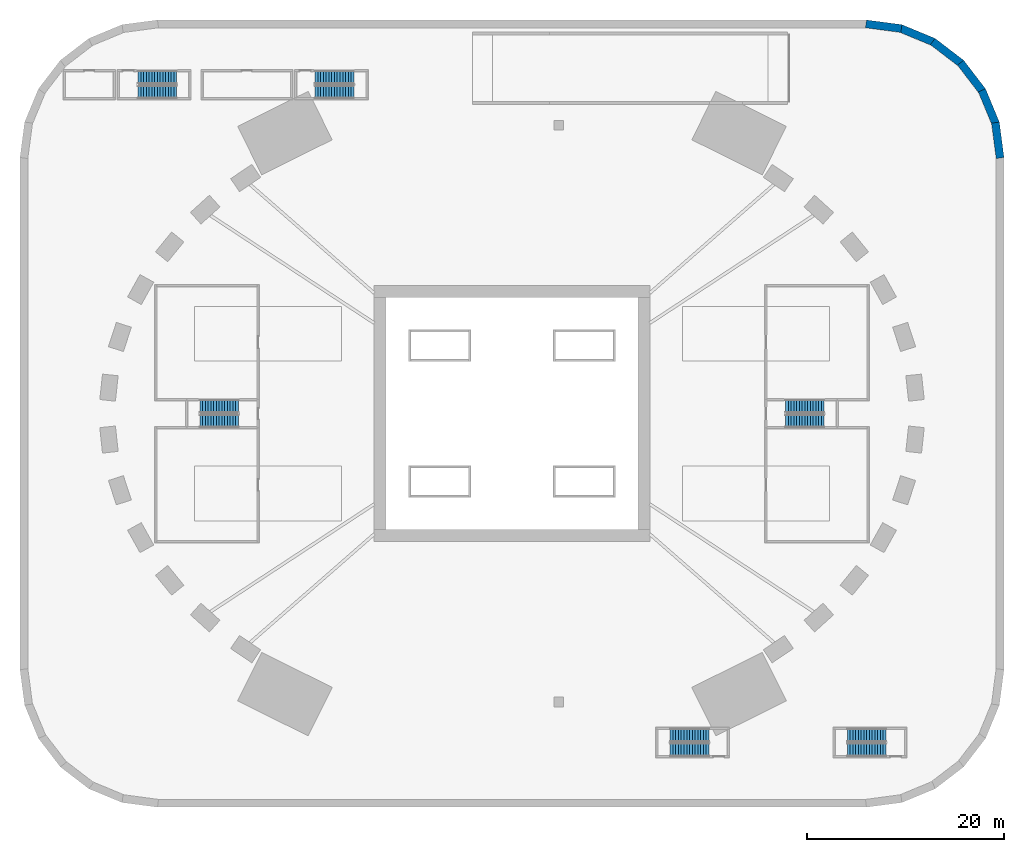
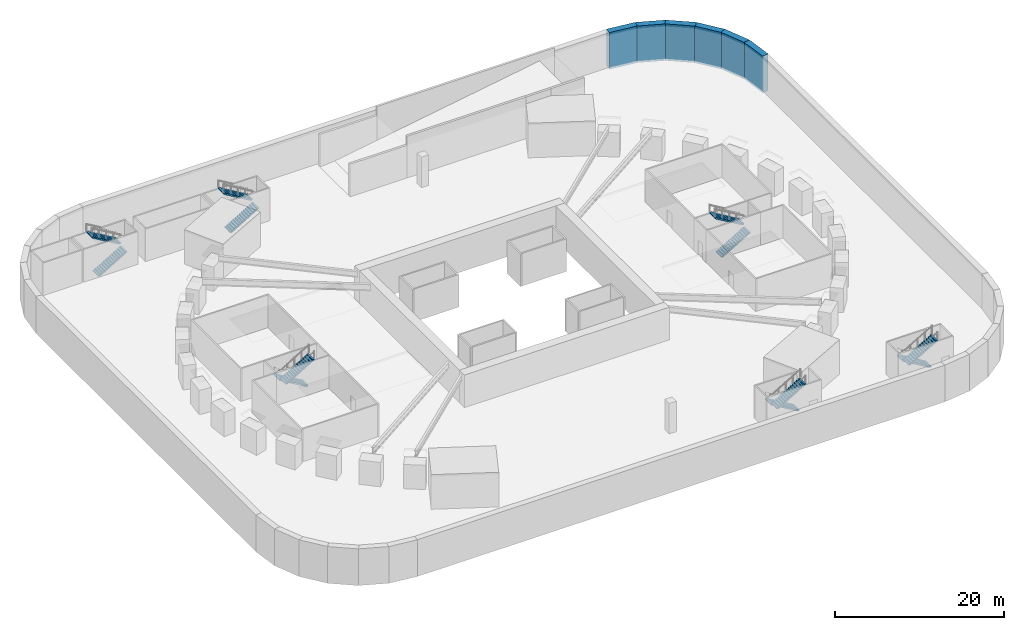
# One storey, part 5 of 10: 12 stair flights, 6 walls, 6 elements without a shape of their own.
"""IFC4 building model written with IfcOpenShell, lengths in metres."""

from ifc_helpers import new_model, si_unit, direction, frame, frame_2d, origin, place, context, subcontext, project, spatial, polyline, rectangle, outline, extrude, source, transform, mapped, material, layer, layer_set, type_object, element, aggregate, save


model = new_model("IFC4")

# Units and contexts
model_context = context("Model", 3, precision=1e-05, world=origin(), true_north=direction((0.0, 1.0)))
body_context = subcontext(model_context, "Body", "Model", "MODEL_VIEW")
ifc_project = project(units=[si_unit("LENGTHUNIT", "METRE"), si_unit("AREAUNIT", "SQUARE_METRE"), si_unit("VOLUMEUNIT", "CUBIC_METRE"), si_unit("PLANEANGLEUNIT", "RADIAN"), si_unit("MASSUNIT", "GRAM", prefix="KILO")], contexts=[model_context])

# Site, building, storey
site_placement = place(None, origin())
site = spatial("IfcSite", under=ifc_project, at=site_placement, CompositionType="ELEMENT")
building_placement = place(site_placement, origin())
building = spatial("IfcBuilding", under=site, at=building_placement, Name="Embergate Tower", CompositionType="ELEMENT")
storey_placement = place(building_placement, frame((0.0, 0.0, -5.0)))
storey = spatial("IfcBuildingStorey", under=building, at=storey_placement, Name="B1", CompositionType="ELEMENT", Elevation=-5.0)

# Walls
ifc_material = material(Name="Concrete C40", Category="concrete")
ifc_layer = layer(ifc_material, 0.800048828125)
ifc_layer_set = layer_set([ifc_layer], Name="Concrete C40")
wall_type = type_object("IfcWallType", Name="Basement retaining wall C40 800", PredefinedType="SOLIDWALL", material=ifc_layer_set)
shared_shape_1 = source(origin(), body_context, "Body", "SweptSolid", [
    extrude(rectangle(XDim=3.62890625, YDim=0.800048828125, at=frame_2d((1.814453125, 0.0))), origin(), (0.0, 0.0, 1.0), 5.300048828125),
])
for number, where, z_axis, x_axis, name in (
    (1, (49.60302734375, 25.97412109375, -0.300048828125), (0.0, 0.0, 1.0), (-0.130383159045, 0.991463681552, 0.0), "RWL-B1-000"),
    (2, (39.572021484375, 39.1298828125, -0.300048828125), (0.0, 0.0, 1.0), (-0.991463681552, 0.130383159045, 0.0), "RWL-B1-005"),
):
    element("IfcWall", number, at=place(storey_placement, frame(where, z_axis=z_axis, x_axis=x_axis)), inside=storey, type_object=wall_type, Name=name, PredefinedType="SOLIDWALL", context=body_context, shape_type="MappedRepresentation", body=[
        mapped(shared_shape_1, transform((0.0, 0.0, 0.0))),
    ])
shared_shape_2 = source(origin(), body_context, "Body", "SweptSolid", [
    extrude(rectangle(XDim=3.65625, YDim=0.800048828125, at=frame_2d((1.828125, 0.0))), origin(), (0.0, 0.0, 1.0), 5.300048828125),
])
for number, where, z_axis, x_axis, name in (
    (3, (49.156982421875, 29.470947265625, -0.300048828125), (0.0, 0.0, 1.0), (-0.382599476739, 0.923914303601, 0.0), "RWL-B1-001"),
    (4, (42.84912109375, 37.758056640625, -0.300048828125), (0.0, 0.0, 1.0), (-0.923914303601, 0.382599476739, 0.0), "RWL-B1-004"),
):
    element("IfcWall", number, at=place(storey_placement, frame(where, z_axis=z_axis, x_axis=x_axis)), inside=storey, type_object=wall_type, Name=name, PredefinedType="SOLIDWALL", context=body_context, shape_type="MappedRepresentation", body=[
        mapped(shared_shape_2, transform((0.0, 0.0, 0.0))),
    ])
shared_shape_3 = source(origin(), body_context, "Body", "SweptSolid", [
    extrude(rectangle(XDim=3.656005859375, YDim=0.800048828125, at=frame_2d((1.828125, 0.0))), origin(), (0.0, 0.0, 1.0), 5.300048828125),
])
for number, where, z_axis, x_axis, name in (
    (5, (47.81005859375, 32.758056640625, -0.300048828125), (0.0, 0.0, 1.0), (-0.608619384994, 0.793462314297, 0.0), "RWL-B1-002"),
    (6, (45.658935546875, 35.5849609375, -0.300048828125), (0.0, 0.0, 1.0), (-0.793462314297, 0.608619384994, 0.0), "RWL-B1-003"),
):
    element("IfcWall", number, at=place(storey_placement, frame(where, z_axis=z_axis, x_axis=x_axis)), inside=storey, type_object=wall_type, Name=name, PredefinedType="SOLIDWALL", context=body_context, shape_type="MappedRepresentation", body=[
        mapped(shared_shape_3, transform((0.0, 0.0, 0.0))),
    ])

# Stair, stair flights
stair_type = type_object("IfcStairType", Name="Exit stair RC", PredefinedType="HALF_TURN_STAIR", material=ifc_material)
stair_1_placement = place(storey_placement, origin())
stair_1 = element("IfcStair", 7, at=stair_1_placement, inside=storey, type_object=stair_type, Name="B1 Basement exit stair S1", PredefinedType="HALF_TURN_STAIR")
stair_flight_type = type_object("IfcStairFlightType", Name="Exit stair flight RC", PredefinedType="STRAIGHT", material=ifc_material)
shared_shape_4 = source(origin(), body_context, "Body", "SweptSolid", [
    extrude(outline(polyline([(0.0, 0.0), (0.0, 0.166748046875), (0.280029296875, 0.166748046875), (0.280029296875, 0.333251953125), (0.56005859375, 0.333251953125), (0.56005859375, 0.5), (0.840087890625, 0.5), (0.840087890625, 0.666748046875), (1.1201171875, 0.666748046875), (1.1201171875, 0.833251953125), (1.39990234375, 0.833251953125), (1.39990234375, 1.0), (1.679931640625, 1.0), (1.679931640625, 1.166748046875), (1.9599609375, 1.166748046875), (1.9599609375, 1.333251953125), (2.239990234375, 1.333251953125), (2.239990234375, 1.5), (2.52001953125, 1.5), (2.52001953125, 1.666748046875), (2.800048828125, 1.666748046875), (2.800048828125, 1.833251953125), (3.080078125, 1.833251953125), (3.080078125, 2.0), (3.360107421875, 2.0), (3.360107421875, 2.166748046875), (3.639892578125, 2.166748046875), (3.639892578125, 2.333251953125), (3.919921875, 2.333251953125), (3.919921875, 2.5), (3.919921875, 2.158935546875), (0.29296875, 0.0), (0.0, 0.0)])), frame((0.0, 0.675048828125, 0.0), z_axis=(0.0, -1.0, 0.0), x_axis=(1.0, 0.0, 0.0)), (0.0, 0.0, 1.0), 1.35009765625),
])
stair_flight_1_placement = place(storey_placement, frame((-20.0, 32.675048828125, 0.0), z_axis=(0.0, 0.0, 1.0), x_axis=(1.0, 0.0, 0.0)))
stair_flight_1 = element("IfcStairFlight", 8, at=stair_flight_1_placement, type_object=stair_flight_type, Name="XS1 flight 1", NumberOfRisers=15, NumberOfTreads=14, PredefinedType="STRAIGHT", RiserHeight=0.166666667, TreadLength=0.28, context=body_context, shape_type="MappedRepresentation", body=[
    mapped(shared_shape_4, transform((0.0, 0.0, 0.0))),
])
stair_flight_2_placement = place(storey_placement, frame((-16.080078125, 34.175048828125, 2.5), z_axis=(0.0, 0.0, 1.0), x_axis=(-1.0, 0.0, 0.0)))
stair_flight_2 = element("IfcStairFlight", 9, at=stair_flight_2_placement, type_object=stair_flight_type, Name="XS1 flight 2", NumberOfRisers=15, NumberOfTreads=14, PredefinedType="STRAIGHT", RiserHeight=0.166666667, TreadLength=0.28, context=body_context, shape_type="MappedRepresentation", body=[
    mapped(shared_shape_4, transform((0.0, 0.0, 0.0))),
])
aggregate(stair_1, [stair_flight_1, stair_flight_2])

stair_2_placement = place(storey_placement, origin())
stair_2 = element("IfcStair", 10, at=stair_2_placement, inside=storey, type_object=stair_type, Name="B1 Basement exit stair S2", PredefinedType="HALF_TURN_STAIR")
stair_flight_3_placement = place(storey_placement, frame((-38.0, 32.675048828125, 0.0), z_axis=(0.0, 0.0, 1.0), x_axis=(1.0, 0.0, 0.0)))
stair_flight_3 = element("IfcStairFlight", 11, at=stair_flight_3_placement, type_object=stair_flight_type, Name="XS2 flight 1", NumberOfRisers=15, NumberOfTreads=14, PredefinedType="STRAIGHT", RiserHeight=0.166666667, TreadLength=0.28, context=body_context, shape_type="MappedRepresentation", body=[
    mapped(shared_shape_4, transform((0.0, 0.0, 0.0))),
])
stair_flight_4_placement = place(storey_placement, frame((-34.080078125, 34.175048828125, 2.5), z_axis=(0.0, 0.0, 1.0), x_axis=(-1.0, 0.0, 0.0)))
stair_flight_4 = element("IfcStairFlight", 12, at=stair_flight_4_placement, type_object=stair_flight_type, Name="XS2 flight 2", NumberOfRisers=15, NumberOfTreads=14, PredefinedType="STRAIGHT", RiserHeight=0.166666667, TreadLength=0.28, context=body_context, shape_type="MappedRepresentation", body=[
    mapped(shared_shape_4, transform((0.0, 0.0, 0.0))),
])
aggregate(stair_2, [stair_flight_3, stair_flight_4])

stair_3_placement = place(storey_placement, origin())
stair_3 = element("IfcStair", 13, at=stair_3_placement, inside=storey, type_object=stair_type, Name="B1 Basement exit stair S3", PredefinedType="HALF_TURN_STAIR")
stair_flight_5_placement = place(storey_placement, frame((20.0, -32.675048828125, 0.0), z_axis=(0.0, 0.0, 1.0), x_axis=(-1.0, 0.0, 0.0)))
stair_flight_5 = element("IfcStairFlight", 14, at=stair_flight_5_placement, type_object=stair_flight_type, Name="XS3 flight 1", NumberOfRisers=15, NumberOfTreads=14, PredefinedType="STRAIGHT", RiserHeight=0.166666667, TreadLength=0.28, context=body_context, shape_type="MappedRepresentation", body=[
    mapped(shared_shape_4, transform((0.0, 0.0, 0.0))),
])
stair_flight_6_placement = place(storey_placement, frame((16.080078125, -34.175048828125, 2.5), z_axis=(0.0, 0.0, 1.0), x_axis=(1.0, 0.0, 0.0)))
stair_flight_6 = element("IfcStairFlight", 15, at=stair_flight_6_placement, type_object=stair_flight_type, Name="XS3 flight 2", NumberOfRisers=15, NumberOfTreads=14, PredefinedType="STRAIGHT", RiserHeight=0.166666667, TreadLength=0.28, context=body_context, shape_type="MappedRepresentation", body=[
    mapped(shared_shape_4, transform((0.0, 0.0, 0.0))),
])
aggregate(stair_3, [stair_flight_5, stair_flight_6])

stair_4_placement = place(storey_placement, origin())
stair_4 = element("IfcStair", 16, at=stair_4_placement, inside=storey, type_object=stair_type, Name="B1 Basement exit stair S4", PredefinedType="HALF_TURN_STAIR")
stair_flight_7_placement = place(storey_placement, frame((38.0, -32.675048828125, 0.0), z_axis=(0.0, 0.0, 1.0), x_axis=(-1.0, 0.0, 0.0)))
stair_flight_7 = element("IfcStairFlight", 17, at=stair_flight_7_placement, type_object=stair_flight_type, Name="XS4 flight 1", NumberOfRisers=15, NumberOfTreads=14, PredefinedType="STRAIGHT", RiserHeight=0.166666667, TreadLength=0.28, context=body_context, shape_type="MappedRepresentation", body=[
    mapped(shared_shape_4, transform((0.0, 0.0, 0.0))),
])
stair_flight_8_placement = place(storey_placement, frame((34.080078125, -34.175048828125, 2.5), z_axis=(0.0, 0.0, 1.0), x_axis=(1.0, 0.0, 0.0)))
stair_flight_8 = element("IfcStairFlight", 18, at=stair_flight_8_placement, type_object=stair_flight_type, Name="XS4 flight 2", NumberOfRisers=15, NumberOfTreads=14, PredefinedType="STRAIGHT", RiserHeight=0.166666667, TreadLength=0.28, context=body_context, shape_type="MappedRepresentation", body=[
    mapped(shared_shape_4, transform((0.0, 0.0, 0.0))),
])
aggregate(stair_4, [stair_flight_7, stair_flight_8])

stair_5_placement = place(storey_placement, origin())
stair_5 = element("IfcStair", 19, at=stair_5_placement, inside=storey, type_object=stair_type, Name="B1 Basement exit stair E1", PredefinedType="HALF_TURN_STAIR")
stair_flight_9_placement = place(storey_placement, frame((27.800048828125, -0.75, 0.0), z_axis=(0.0, 0.0, 1.0), x_axis=(1.0, 0.0, 0.0)))
stair_flight_9 = element("IfcStairFlight", 20, at=stair_flight_9_placement, type_object=stair_flight_type, Name="XE1 flight 1", NumberOfRisers=15, NumberOfTreads=14, PredefinedType="STRAIGHT", RiserHeight=0.166666667, TreadLength=0.28, context=body_context, shape_type="MappedRepresentation", body=[
    mapped(shared_shape_4, transform((0.0, 0.0, 0.0))),
])
stair_flight_10_placement = place(storey_placement, frame((31.719970703125, 0.75, 2.5), z_axis=(0.0, 0.0, 1.0), x_axis=(-1.0, 0.0, 0.0)))
stair_flight_10 = element("IfcStairFlight", 21, at=stair_flight_10_placement, type_object=stair_flight_type, Name="XE1 flight 2", NumberOfRisers=15, NumberOfTreads=14, PredefinedType="STRAIGHT", RiserHeight=0.166666667, TreadLength=0.28, context=body_context, shape_type="MappedRepresentation", body=[
    mapped(shared_shape_4, transform((0.0, 0.0, 0.0))),
])
aggregate(stair_5, [stair_flight_9, stair_flight_10])

stair_6_placement = place(storey_placement, origin())
stair_6 = element("IfcStair", 22, at=stair_6_placement, inside=storey, type_object=stair_type, Name="B1 Basement exit stair W1", PredefinedType="HALF_TURN_STAIR")
stair_flight_11_placement = place(storey_placement, frame((-27.800048828125, 0.75, 0.0), z_axis=(0.0, 0.0, 1.0), x_axis=(-1.0, 0.0, 0.0)))
stair_flight_11 = element("IfcStairFlight", 23, at=stair_flight_11_placement, type_object=stair_flight_type, Name="XW1 flight 1", NumberOfRisers=15, NumberOfTreads=14, PredefinedType="STRAIGHT", RiserHeight=0.166666667, TreadLength=0.28, context=body_context, shape_type="MappedRepresentation", body=[
    mapped(shared_shape_4, transform((0.0, 0.0, 0.0))),
])
stair_flight_12_placement = place(storey_placement, frame((-31.719970703125, -0.75, 2.5), z_axis=(0.0, 0.0, 1.0), x_axis=(1.0, 0.0, 0.0)))
stair_flight_12 = element("IfcStairFlight", 24, at=stair_flight_12_placement, type_object=stair_flight_type, Name="XW1 flight 2", NumberOfRisers=15, NumberOfTreads=14, PredefinedType="STRAIGHT", RiserHeight=0.166666667, TreadLength=0.28, context=body_context, shape_type="MappedRepresentation", body=[
    mapped(shared_shape_4, transform((0.0, 0.0, 0.0))),
])
aggregate(stair_6, [stair_flight_11, stair_flight_12])

save(model, "model.ifc")
